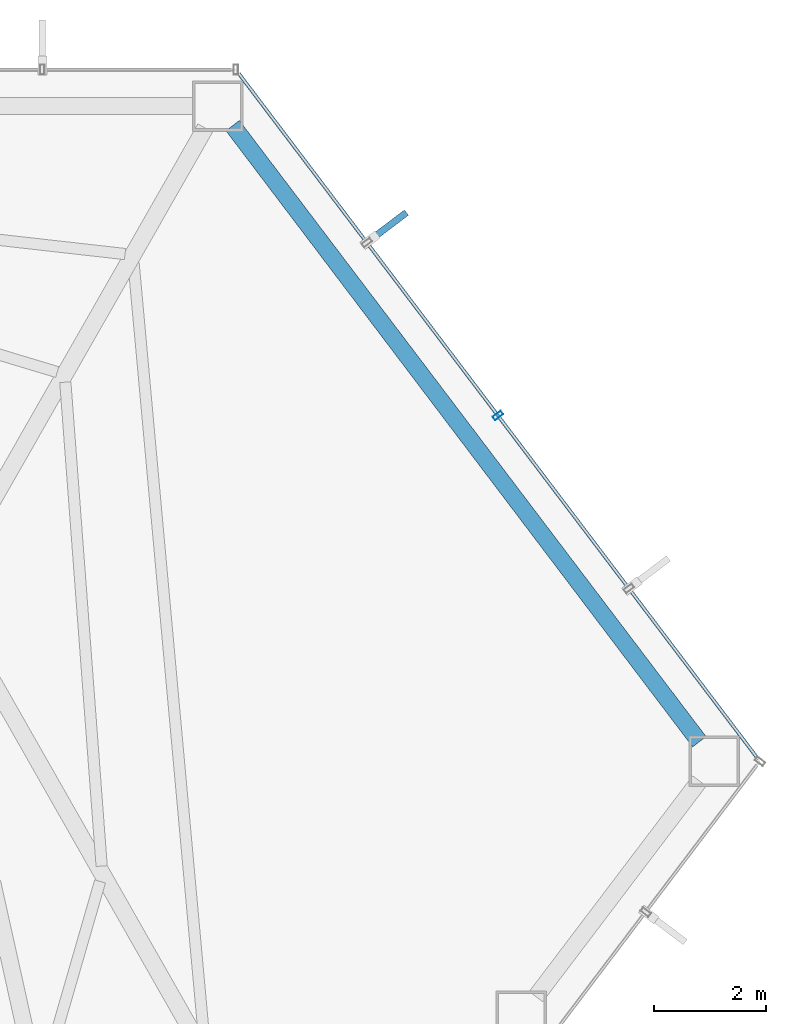
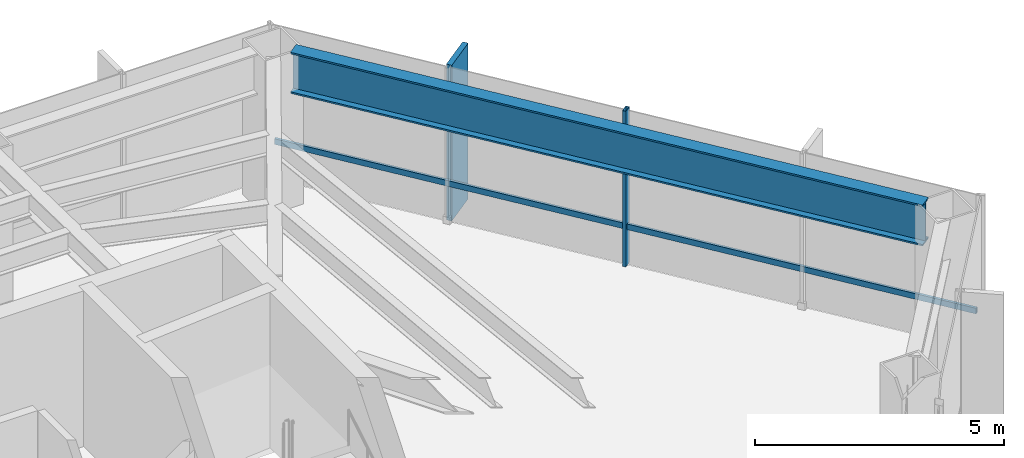
# One storey, part 19 of 24: 3 members, 1 beam, 1 element without a shape of its own.
"""IFC4 building model written with IfcOpenShell, lengths in metres."""

from ifc_helpers import new_model, si_unit, direction, frame, origin, origin_2d, place, context, subcontext, project, spatial, rectangle, hollow_rectangle, i_section, extrude, material, layer, layer_set, material_profile, profile_set, type_object, element, aggregate, save


model = new_model("IFC4")

# Units and contexts
model_context = context("Model", 3, precision=1e-05, world=origin(), true_north=direction((0.0, 1.0)))
body_context = subcontext(model_context, "Body", "Model", "MODEL_VIEW")
ifc_project = project(units=[si_unit("LENGTHUNIT", "METRE"), si_unit("AREAUNIT", "SQUARE_METRE"), si_unit("VOLUMEUNIT", "CUBIC_METRE"), si_unit("PLANEANGLEUNIT", "RADIAN"), si_unit("MASSUNIT", "GRAM", prefix="KILO")], contexts=[model_context])

# Site, building, storey
site_placement = place(None, origin())
site = spatial("IfcSite", under=ifc_project, at=site_placement, CompositionType="ELEMENT")
building_placement = place(site_placement, origin())
building = spatial("IfcBuilding", under=site, at=building_placement, Name="Zarrinselat Tower", CompositionType="ELEMENT")
storey_placement = place(building_placement, frame((0.0, 0.0, 96.89990234375)))
storey = spatial("IfcBuildingStorey", under=building, at=storey_placement, Name="L23", CompositionType="ELEMENT", Elevation=96.89990234375)

# Beam
ifc_material_1 = material(Name="Steel S460M", Category="steel")
ifc_material_profile_1 = material_profile(ifc_material_1, i_section(OverallWidth=0.302001953125, OverallDepth=1.008056640625, WebThickness=0.02099609375, FlangeThickness=0.0400390625, at=origin_2d()), Name="HEM 1000")
ifc_profile_set_1 = profile_set([ifc_material_profile_1], Name="Steel S460M")
beam_type = type_object("IfcBeamType", Name="BM-HEM1000", PredefinedType="BEAM", material=ifc_profile_set_1)
beam_placement = place(storey_placement, frame((52.736083984375, 48.5009765625, 3.316162109375), z_axis=(0.603848484221, -0.797099120627, 0.0), x_axis=(0.797099120627, 0.603848484221, 0.0)))
element("IfcBeam", 1, at=beam_placement, inside=storey, type_object=beam_type, Name="L23 Perimeter Spandrel Girder SP15", PredefinedType="BEAM", context=body_context, shape_type="SweptSolid", body=[
    extrude(i_section(OverallWidth=0.302001953125, OverallDepth=1.008056640625, WebThickness=0.02099609375, FlangeThickness=0.0400390625, at=origin_2d()), origin(), (0.0, 0.0, 1.0), 13.789306640625),
])

# Curtain wall, members
ifc_material_2 = material(Name="Extruded Aluminium Alloy EN AW-6063 T6", Category="aluminium")
ifc_layer = layer(ifc_material_2, 0.18505859375)
ifc_layer_set = layer_set([ifc_layer], Name="Extruded Aluminium Alloy EN AW-6063 T6")
curtain_wall_type = type_object("IfcCurtainWallType", Name="CWS-OFF", PredefinedType="NOTDEFINED", material=ifc_layer_set)
curtain_wall_placement = place(storey_placement, origin())
curtain_wall = element("IfcCurtainWall", 2, at=curtain_wall_placement, inside=storey, type_object=curtain_wall_type, Name="L23 Unitised Curtain Wall CW-L23-E06", PredefinedType="NOTDEFINED")
ifc_material_3 = material(Name="Extruded Aluminium Alloy EN AW-6063 T6", Category="aluminium")
ifc_material_profile_2 = material_profile(ifc_material_3, hollow_rectangle(XDim=0.080078125, YDim=0.179931640625, WallThickness=0.0048828125, at=origin_2d()), Name="RHS 180x80x5")
ifc_profile_set_2 = profile_set([ifc_material_profile_2], Name="Extruded Aluminium Alloy EN AW-6063 T6")
member_type_1 = type_object("IfcMemberType", Name="MEM-CW-MUL", PredefinedType="MULLION", material=ifc_profile_set_2)
member_1_placement = place(storey_placement, frame((57.468505859375, 43.330078125, 0.0), z_axis=(0.0, 0.0, 1.0), x_axis=(-0.6038584342, 0.797091582847, 0.0)))
member_1 = element("IfcMember", 3, at=member_1_placement, type_object=member_type_1, Name="CW-L23-E06 Mullion 2", PredefinedType="MULLION", context=body_context, shape_type="SweptSolid", body=[
    extrude(hollow_rectangle(XDim=0.080078125, YDim=0.179931640625, WallThickness=0.0048828125, at=origin_2d()), origin(), (0.0, 0.0, 1.0), 3.820068359375),
])
ifc_material_4 = material(Name="Extruded Aluminium Alloy EN AW-6063 T6", Category="aluminium")
ifc_material_profile_3 = material_profile(ifc_material_4, hollow_rectangle(XDim=0.06005859375, YDim=0.139892578125, WallThickness=0.00390625, at=origin_2d()), Name="RHS 140x60x4")
ifc_profile_set_3 = profile_set([ifc_material_profile_3], Name="Extruded Aluminium Alloy EN AW-6063 T6")
member_type_2 = type_object("IfcMemberType", Name="MEM-CW-TRN", PredefinedType="USERDEFINED", material=ifc_profile_set_3)
member_2_placement = place(storey_placement, frame((62.08837890625, 37.232177734375, 0.9501953125), z_axis=(-0.603860760063, 0.797089820821, 0.0), x_axis=(-0.797089820821, -0.603860760063, 0.0)))
member_2 = element("IfcMember", 4, at=member_2_placement, type_object=member_type_2, Name="CW-L23-E06 Transom 1", ObjectType="TRANSOM", PredefinedType="USERDEFINED", context=body_context, shape_type="SweptSolid", body=[
    extrude(hollow_rectangle(XDim=0.06005859375, YDim=0.139892578125, WallThickness=0.00390625, at=origin_2d()), origin(), (0.0, 0.0, 1.0), 15.30078125),
])
ifc_material_5 = material(Name="Honed Cream Travertine Stone", Category="masonry")
ifc_material_profile_4 = material_profile(ifc_material_5, rectangle(XDim=0.1201171875, YDim=0.85009765625, at=origin_2d()), Name="FIN 850x120")
ifc_profile_set_4 = profile_set([ifc_material_profile_4], Name="Honed Cream Travertine Stone")
member_type_3 = type_object("IfcMemberType", Name="MEM-STONE-FIN", PredefinedType="USERDEFINED", material=ifc_profile_set_4)
member_3_placement = place(storey_placement, frame((55.498291015625, 46.69287109375, 0.0), z_axis=(0.0, 0.0, 1.0), x_axis=(0.6038584342, -0.797091582847, 0.0)))
member_3 = element("IfcMember", 5, at=member_3_placement, type_object=member_type_3, Name="L23 Stone Shading Fin CW-L23-E06-03", ObjectType="FIN", PredefinedType="USERDEFINED", context=body_context, shape_type="SweptSolid", body=[
    extrude(rectangle(XDim=0.1201171875, YDim=0.85009765625, at=origin_2d()), origin(), (0.0, 0.0, 1.0), 3.820068359375),
])
aggregate(curtain_wall, [member_1, member_3, member_2])

save(model, "model.ifc")
